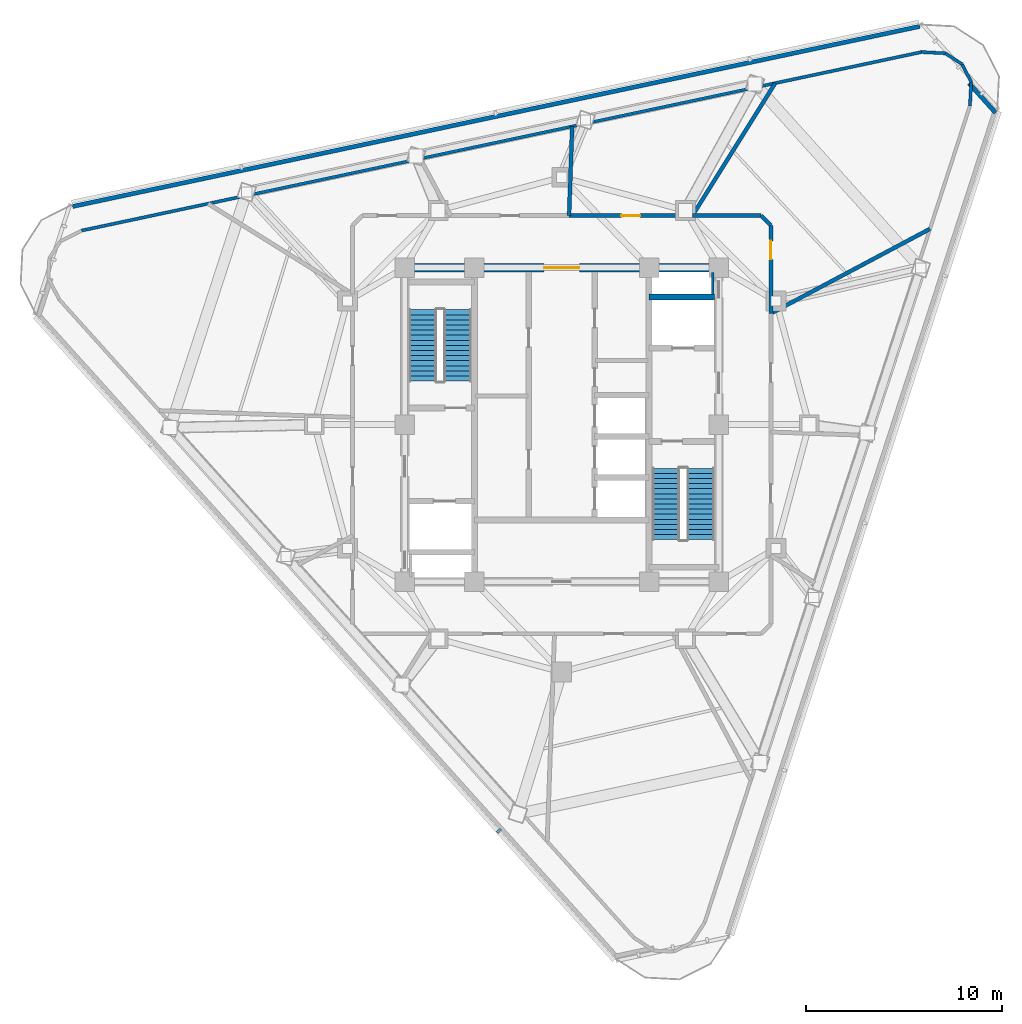
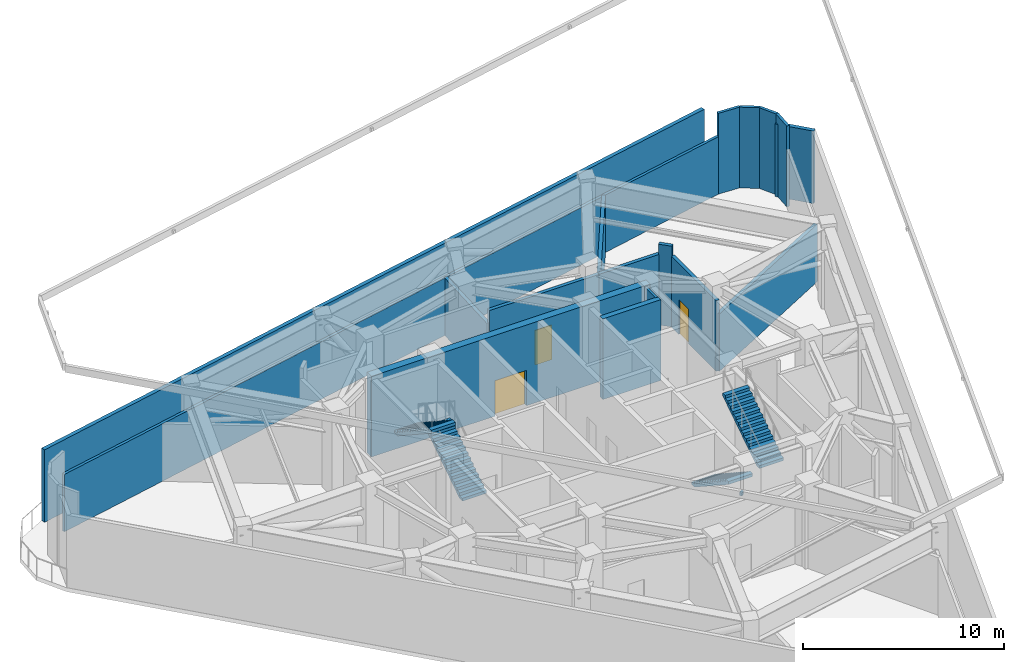
# One storey, part 5 of 10: 17 walls, 4 stair flights, 3 doors, 1 discrete accessory, 3 openings, 2 elements without a shape of their own.
"""IFC4 building model written with IfcOpenShell, lengths in metres."""

from ifc_helpers import new_model, si_unit, direction, frame, frame_2d, origin, origin_2d, place, context, subcontext, project, spatial, polyline, rectangle, outline, extrude, material, layer, layer_set, type_object, element, fill, aggregate, save


model = new_model("IFC4")

# Units and contexts
model_context = context("Model", 3, precision=1e-05, world=origin(), true_north=direction((0.0, 1.0)))
body_context = subcontext(model_context, "Body", "Model", "MODEL_VIEW")
ifc_project = project(units=[si_unit("LENGTHUNIT", "METRE"), si_unit("AREAUNIT", "SQUARE_METRE"), si_unit("VOLUMEUNIT", "CUBIC_METRE"), si_unit("PLANEANGLEUNIT", "RADIAN"), si_unit("MASSUNIT", "GRAM", prefix="KILO")], contexts=[model_context])

# Site, building, storey
site_placement = place(None, origin())
site = spatial("IfcSite", under=ifc_project, at=site_placement, CompositionType="ELEMENT")
building_placement = place(site_placement, origin())
building = spatial("IfcBuilding", under=site, at=building_placement, Name="Terralouvre Media Tower", CompositionType="ELEMENT")
storey_placement = place(building_placement, frame((0.0, 0.0, 278.10009765625)))
storey = spatial("IfcBuildingStorey", under=building, at=storey_placement, Name="L72", CompositionType="ELEMENT", Elevation=278.10009765625)

# Wall
ifc_material_1 = material(Name="Concrete C50/60", Category="concrete")
ifc_layer_1 = layer(ifc_material_1, 0.300048828125, Name="Core Internal Shaft Wall CW-300")
ifc_layer_set_1 = layer_set([ifc_layer_1], Name="Concrete C50/60")
wall_type_1 = type_object("IfcWallType", Name="Core Internal Shaft Wall CW-300", PredefinedType="SHEAR", material=ifc_layer_set_1)
wall_1_placement = place(storey_placement, frame((4.449951171875, 6.5, 0.0), z_axis=(0.0, 0.0, 1.0), x_axis=(1.0, 0.0, 0.0)))
element("IfcWall", 1, at=wall_1_placement, inside=storey, type_object=wall_type_1, Name="L72 Core Shaft Wall FF2N", PredefinedType="SHEAR", context=body_context, shape_type="SweptSolid", body=[
    extrude(rectangle(XDim=3.340087890625, YDim=0.300048828125, at=frame_2d((1.669921875, 0.0))), origin(), (0.0, 0.0, 1.0), 4.89990234375),
])

# Wall, opening, door
ifc_material_2 = material(Name="Concrete C60/75", Category="concrete")
ifc_layer_2 = layer(ifc_material_2, 0.419921875, Name="Core Reinforced Concrete Shear Wall CW-420")
ifc_layer_set_2 = layer_set([ifc_layer_2], Name="Concrete C60/75")
wall_type_2 = type_object("IfcWallType", Name="Core Reinforced Concrete Shear Wall CW-420", PredefinedType="SHEAR", material=ifc_layer_set_2)
wall_2_placement = place(storey_placement, frame((-8.0, 8.0, 0.0), z_axis=(0.0, 0.0, 1.0), x_axis=(1.0, 0.0, 0.0)))
wall_2 = element("IfcWall", 2, at=wall_2_placement, inside=storey, type_object=wall_type_2, Name="L72 N Core Shear Wall", PredefinedType="SHEAR", context=body_context, shape_type="SweptSolid", body=[
    extrude(rectangle(XDim=16.0, YDim=0.419921875, at=frame_2d((8.0, 0.0))), origin(), (0.0, 0.0, 1.0), 4.89990234375),
])
opening_1_placement = place(wall_2_placement, frame((7.10009765625, 0.0, 0.0)))
opening_1 = element("IfcOpeningElement", 3, at=opening_1_placement, cuts=wall_2, Name="Opening FD-03", PredefinedType="OPENING", context=body_context, shape_type="SweptSolid", body=[
    extrude(rectangle(XDim=1.800048828125, YDim=2.14990234375, at=frame_2d((0.89990234375, 1.074951171875))), frame((0.0, 0.219970703125, 0.0), z_axis=(0.0, -1.0, 0.0), x_axis=(1.0, 0.0, 0.0)), (0.0, 0.0, 1.0), 0.43994140625),
])
ifc_material_3 = material(Name="Galvanised steel fire-resisting leaf", Category="steel")
door_type_1 = type_object("IfcDoorType", Name="Corridor Smoke-Control Double Door FD-03", OperationType="DOUBLE_DOOR_SINGLE_SWING", PredefinedType="DOOR", material=ifc_material_3)
door_1_placement = place(opening_1_placement, origin())
door_1 = element("IfcDoor", 4, at=door_1_placement, inside=storey, type_object=door_type_1, Name="L72 Central Lift Lobby Portal Door", OperationType="DOUBLE_DOOR_SINGLE_SWING", OverallHeight=2.14990234375, OverallWidth=1.800048828125, PredefinedType="DOOR", context=body_context, shape_type="SweptSolid", body=[
    extrude(rectangle(XDim=1.800048828125, YDim=2.14990234375, at=frame_2d((0.89990234375, 1.074951171875))), frame((0.0, 0.02490234375, 0.0), z_axis=(0.0, -1.0, 0.0), x_axis=(1.0, 0.0, 0.0)), (0.0, 0.0, 1.0), 0.050048828125),
])
fill(opening_1, door_1)

# Walls
ifc_material_4 = material(Name="Fire-rated gypsum board drywall partition")
ifc_layer_3 = layer(ifc_material_4, 0.199951171875, Name="Fire-Rated Shaft and Lobby Partition FW-200")
ifc_layer_set_3 = layer_set([ifc_layer_3], Name="Fire-rated gypsum board drywall partition")
wall_type_3 = type_object("IfcWallType", Name="Fire-Rated Shaft and Lobby Partition FW-200", PredefinedType="SOLIDWALL", material=ifc_layer_set_3)
wall_3_placement = place(storey_placement, frame((-24.463134765625, 9.88623046875, 0.0), z_axis=(0.0, 0.0, 1.0), x_axis=(0.978148254478, 0.20790861517, 0.0)))
element("IfcWall", 5, at=wall_3_placement, inside=storey, type_object=wall_type_3, Name="L72 Belt-Truss Acoustic Plenum Liner Wall 06", PredefinedType="SOLIDWALL", context=body_context, shape_type="SweptSolid", body=[
    extrude(rectangle(XDim=43.74609375, YDim=0.159912109375, at=frame_2d((21.873046875, 0.0))), origin(), (0.0, 0.0, 1.0), 3.48486328125),
])
wall_4_placement = place(storey_placement, frame((18.3271484375, 18.9814453125, 0.0), z_axis=(0.0, 0.0, 1.0), x_axis=(0.998630033293, -0.052326442696, 0.0)))
element("IfcWall", 6, at=wall_4_placement, inside=storey, type_object=wall_type_3, Name="L72 Belt-Truss Acoustic Plenum Liner Wall 07", PredefinedType="SOLIDWALL", context=body_context, shape_type="SweptSolid", body=[
    extrude(rectangle(XDim=1.213134765625, YDim=0.159912109375, at=frame_2d((0.6064453125, 0.0))), origin(), (0.0, 0.0, 1.0), 4.89990234375),
])
wall_5_placement = place(storey_placement, frame((19.53857421875, 18.91796875, 0.0), z_axis=(0.0, 0.0, 1.0), x_axis=(0.838766232375, -0.544491696381, 0.0)))
element("IfcWall", 7, at=wall_5_placement, inside=storey, type_object=wall_type_3, Name="L72 Belt-Truss Acoustic Plenum Liner Wall 08", PredefinedType="SOLIDWALL", context=body_context, shape_type="SweptSolid", body=[
    extrude(rectangle(XDim=1.01953125, YDim=0.159912109375, at=frame_2d((0.509765625, 0.0))), origin(), (0.0, 0.0, 1.0), 4.89990234375),
])
wall_6_placement = place(storey_placement, frame((20.393798828125, 18.36279296875, 0.0), z_axis=(0.0, 0.0, 1.0), x_axis=(0.453904263618, -0.891050458431, 0.0)))
element("IfcWall", 8, at=wall_6_placement, inside=storey, type_object=wall_type_3, Name="L72 Belt-Truss Acoustic Plenum Liner Wall 09", PredefinedType="SOLIDWALL", context=body_context, shape_type="SweptSolid", body=[
    extrude(rectangle(XDim=1.019775390625, YDim=0.159912109375, at=frame_2d((0.509765625, 0.0))), origin(), (0.0, 0.0, 1.0), 4.89990234375),
])
wall_7_placement = place(storey_placement, frame((20.856689453125, 17.4541015625, 0.0), z_axis=(0.0, 0.0, 1.0), x_axis=(-0.052315928246, -0.998630584176, 0.0)))
element("IfcWall", 9, at=wall_7_placement, inside=storey, type_object=wall_type_3, Name="L72 Belt-Truss Acoustic Plenum Liner Wall 10", PredefinedType="SOLIDWALL", context=body_context, shape_type="SweptSolid", body=[
    extrude(rectangle(XDim=1.21337890625, YDim=0.159912109375, at=frame_2d((0.606689453125, 0.0))), origin(), (0.0, 0.0, 1.0), 4.89990234375),
])

# Wall, opening, door
wall_8_placement = place(storey_placement, frame((10.64990234375, 5.6630859375, 0.0), z_axis=(0.0, 0.0, 1.0), x_axis=(0.0, 1.0, 0.0)))
wall_8 = element("IfcWall", 10, at=wall_8_placement, inside=storey, type_object=wall_type_3, Name="L72 Interior Partition 012", PredefinedType="SOLIDWALL", context=body_context, shape_type="SweptSolid", body=[
    extrude(rectangle(XDim=4.48681640625, YDim=0.199951171875, at=frame_2d((2.243408203125, 0.0))), origin(), (0.0, 0.0, 1.0), 4.284912109375),
])
opening_2_placement = place(wall_8_placement, frame((2.755615234375, 0.0, 0.0)))
opening_2 = element("IfcOpeningElement", 11, at=opening_2_placement, cuts=wall_8, Name="Opening FD-02-95X210", PredefinedType="OPENING", context=body_context, shape_type="SweptSolid", body=[
    extrude(rectangle(XDim=0.949951171875, YDim=2.10009765625, at=frame_2d((0.47509765625, 1.050048828125))), frame((0.0, 0.10986328125, 0.0), z_axis=(0.0, -1.0, 0.0), x_axis=(1.0, 0.0, 0.0)), (0.0, 0.0, 1.0), 0.219970703125),
])
ifc_material_5 = material(Name="Galvanised steel fire-resisting leaf", Category="steel")
door_type_2 = type_object("IfcDoorType", Name="Plant and Riser Fire Door FD-02 (950x2100)", OperationType="NOTDEFINED", PredefinedType="DOOR", material=ifc_material_5)
door_2_placement = place(opening_2_placement, origin())
door_2 = element("IfcDoor", 12, at=door_2_placement, inside=storey, type_object=door_type_2, Name="L72 Sprinkler Reserve Tank and Pump Plant Room Door", OperationType="SINGLE_SWING_LEFT", OverallHeight=2.10009765625, OverallWidth=0.949951171875, PredefinedType="DOOR", context=body_context, shape_type="SweptSolid", body=[
    extrude(rectangle(XDim=0.949951171875, YDim=2.10009765625, at=frame_2d((0.47509765625, 1.050048828125))), frame((0.0, 0.02490234375, 0.0), z_axis=(0.0, -1.0, 0.0), x_axis=(1.0, 0.0, 0.0)), (0.0, 0.0, 1.0), 0.050048828125),
])
fill(opening_2, door_2)

# Walls
wall_9_placement = place(storey_placement, frame((10.64990234375, 10.14990234375, 0.0), z_axis=(0.0, 0.0, 1.0), x_axis=(-0.707106781187, 0.707106781187, 0.0)))
element("IfcWall", 13, at=wall_9_placement, inside=storey, type_object=wall_type_3, Name="L72 Interior Partition 013", PredefinedType="SOLIDWALL", context=body_context, shape_type="SweptSolid", body=[
    extrude(rectangle(XDim=0.70703125, YDim=0.199951171875, at=frame_2d((0.353515625, 0.0))), origin(), (0.0, 0.0, 1.0), 4.89990234375),
])
wall_10_placement = place(storey_placement, frame((10.14990234375, 10.64990234375, 0.0), z_axis=(0.0, 0.0, 1.0), x_axis=(-1.0, 0.0, 0.0)))
element("IfcWall", 14, at=wall_10_placement, inside=storey, type_object=wall_type_3, Name="L72 Interior Partition 014", PredefinedType="SOLIDWALL", context=body_context, shape_type="SweptSolid", body=[
    extrude(rectangle(XDim=3.494873046875, YDim=0.199951171875, at=frame_2d((1.74755859375, 0.0))), origin(), (0.0, 0.0, 1.0), 4.284912109375),
])

# Wall, opening, door
wall_11_placement = place(storey_placement, frame((6.655029296875, 10.64990234375, 0.0), z_axis=(0.0, 0.0, 1.0), x_axis=(-1.0, 0.0, 0.0)))
wall_11 = element("IfcWall", 15, at=wall_11_placement, inside=storey, type_object=wall_type_3, Name="L72 Interior Partition 015", PredefinedType="SOLIDWALL", context=body_context, shape_type="SweptSolid", body=[
    extrude(rectangle(XDim=6.282958984375, YDim=0.199951171875, at=frame_2d((3.1416015625, 0.0))), origin(), (0.0, 0.0, 1.0), 4.284912109375),
])
opening_3_placement = place(wall_11_placement, frame((2.66650390625, 0.0, 0.0)))
opening_3 = element("IfcOpeningElement", 16, at=opening_3_placement, cuts=wall_11, Name="Opening FD-02-95X210", PredefinedType="OPENING", context=body_context, shape_type="SweptSolid", body=[
    extrude(rectangle(XDim=0.949951171875, YDim=2.10009765625, at=frame_2d((0.47509765625, 1.050048828125))), frame((0.0, 0.10986328125, 0.0), z_axis=(0.0, -1.0, 0.0), x_axis=(1.0, 0.0, 0.0)), (0.0, 0.0, 1.0), 0.219970703125),
])
door_3_placement = place(opening_3_placement, origin())
door_3 = element("IfcDoor", 17, at=door_3_placement, inside=storey, type_object=door_type_2, Name="L72 BMS and Telecom Mechanical Control Plant Room Door", OperationType="SINGLE_SWING_RIGHT", OverallHeight=2.10009765625, OverallWidth=0.949951171875, PredefinedType="DOOR", context=body_context, shape_type="SweptSolid", body=[
    extrude(rectangle(XDim=0.949951171875, YDim=2.10009765625, at=frame_2d((0.47509765625, 1.050048828125))), frame((0.0, 0.02490234375, 0.0), z_axis=(0.0, -1.0, 0.0), x_axis=(1.0, 0.0, 0.0)), (0.0, 0.0, 1.0), 0.050048828125),
])
fill(opening_3, door_3)

# Walls
wall_12_placement = place(storey_placement, frame((18.756103515625, 9.97314453125, 0.0), z_axis=(0.0, 0.0, 1.0), x_axis=(-0.882951431728, -0.469464342852, 0.0)))
element("IfcWall", 18, at=wall_12_placement, inside=storey, type_object=wall_type_3, Name="L72 Interior Partition 028", PredefinedType="SOLIDWALL", context=body_context, shape_type="SweptSolid", body=[
    extrude(rectangle(XDim=9.180908203125, YDim=0.199951171875, at=frame_2d((4.59033203125, 0.0))), origin(), (0.0, 0.0, 1.0), 3.48486328125),
])
wall_13_placement = place(storey_placement, frame((10.87109375, 17.39697265625, 0.0), z_axis=(0.0, 0.0, 1.0), x_axis=(-0.529921704872, -0.848046571071, 0.0)))
element("IfcWall", 19, at=wall_13_placement, inside=storey, type_object=wall_type_3, Name="L72 Interior Partition 029", PredefinedType="SOLIDWALL", context=body_context, shape_type="SweptSolid", body=[
    extrude(rectangle(XDim=7.9560546875, YDim=0.199951171875, at=frame_2d((3.97802734375, 0.0))), origin(), (0.0, 0.0, 1.0), 3.48486328125),
])
wall_14_placement = place(storey_placement, frame((0.531005859375, 15.198974609375, 0.0), z_axis=(0.0, 0.0, 1.0), x_axis=(-0.034916708904, -0.999390225807, 0.0)))
element("IfcWall", 20, at=wall_14_placement, inside=storey, type_object=wall_type_3, Name="L72 Interior Partition 030", PredefinedType="SOLIDWALL", context=body_context, shape_type="SweptSolid", body=[
    extrude(rectangle(XDim=4.5517578125, YDim=0.199951171875, at=frame_2d((2.27587890625, 0.0))), origin(), (0.0, 0.0, 1.0), 3.48486328125),
])
ifc_material_6 = material(Name="Fire-rated gypsum board drywall partition")
ifc_layer_4 = layer(ifc_material_6, 0.1201171875, Name="Low Technical Plinth Furring Wall PT-PL120")
ifc_layer_set_4 = layer_set([ifc_layer_4], Name="Fire-rated gypsum board drywall partition")
wall_type_4 = type_object("IfcWallType", Name="Low Technical Plinth Furring Wall PT-PL120", PredefinedType="PLUMBINGWALL", material=ifc_layer_set_4)
wall_15_placement = place(storey_placement, frame((7.699951171875, 6.6201171875, 0.0), z_axis=(0.0, 0.0, 1.0), x_axis=(0.0, 1.0, 0.0)))
element("IfcWall", 21, at=wall_15_placement, inside=storey, type_object=wall_type_4, Name="L72 Wet Riser Plumbing Furring Wall 2", PredefinedType="PLUMBINGWALL", context=body_context, shape_type="SweptSolid", body=[
    extrude(rectangle(XDim=1.1298828125, YDim=0.1201171875, at=frame_2d((0.56494140625, 0.0))), origin(), (0.0, 0.0, 1.0), 4.89990234375),
])
ifc_material_7 = material(Name="Kiln-fired architectural terracotta rainscreen cladding", Category="masonry")
ifc_layer_5 = layer(ifc_material_7, 0.260009765625, Name="Recessed Sky-Garden Acoustic Wall EW-SG260")
ifc_layer_set_5 = layer_set([ifc_layer_5], Name="Kiln-fired architectural terracotta rainscreen cladding")
wall_type_5 = type_object("IfcWallType", Name="Recessed Sky-Garden Acoustic Wall EW-SG260", PredefinedType="SOLIDWALL", material=ifc_layer_set_5)
wall_16_placement = place(storey_placement, frame((18.23974609375, 20.2919921875, 0.0), z_axis=(0.0, 0.0, 1.0), x_axis=(-0.978147584683, -0.207911766332, 0.0)))
element("IfcWall", 22, at=wall_16_placement, inside=storey, type_object=wall_type_5, Name="L72 Facade Curtain Wall F1 Acoustic Plant Plinth Wall", PredefinedType="SOLIDWALL", context=body_context, shape_type="SweptSolid", body=[
    extrude(rectangle(XDim=44.1201171875, YDim=0.219970703125, at=frame_2d((22.06005859375, 0.0))), origin(), (0.0, 0.0, 1.0), 4.39990234375),
])
wall_17_placement = place(storey_placement, frame((22.097412109375, 15.887939453125, 0.0), z_axis=(0.0, 0.0, 1.0), x_axis=(-0.669117696953, 0.743156448955, 0.0)))
element("IfcWall", 23, at=wall_17_placement, inside=storey, type_object=wall_type_5, Name="L72 Rounded Wind-Corner Curtain Wall C1 Acoustic Plant Plinth Wall", PredefinedType="SOLIDWALL", context=body_context, shape_type="SweptSolid", body=[
    extrude(rectangle(XDim=2.02783203125, YDim=0.219970703125, at=frame_2d((1.013916015625, 0.0))), origin(), (0.0, 0.0, 1.0), 4.39990234375),
])

# Stair, stair flights
ifc_material_8 = material(Name="Concrete C45/55", Category="concrete")
stair_type_1 = type_object("IfcStairType", Name="Dogleg Stair Assembly ST-01", PredefinedType="HALF_TURN_STAIR", material=ifc_material_8)
stair_1_placement = place(storey_placement, origin())
stair_1 = element("IfcStair", 24, at=stair_1_placement, inside=storey, type_object=stair_type_1, Name="L72 Core Pressurised Exit Stair ST-01", PredefinedType="HALF_TURN_STAIR")
ifc_material_9 = material(Name="Concrete C45/55", Category="concrete")
stair_flight_type = type_object("IfcStairFlightType", Name="Reinforced Concrete Stair Flight SF-RC1", PredefinedType="STRAIGHT", material=ifc_material_9)
stair_flight_1_placement = place(storey_placement, frame((-5.300048828125, 2.219970703125, 0.0), z_axis=(0.0, 0.0, 1.0), x_axis=(0.0, 1.0, 0.0)))
stair_flight_1 = element("IfcStairFlight", 25, at=stair_flight_1_placement, type_object=stair_flight_type, Name="ST-01 flight 1", NumberOfRisers=15, NumberOfTreads=14, PredefinedType="STRAIGHT", RiserHeight=0.17, TreadLength=0.26, context=body_context, shape_type="SweptSolid", body=[
    extrude(outline(polyline([(0.0, 0.0), (0.0, 0.169921875), (0.260009765625, 0.169921875), (0.260009765625, 0.340087890625), (0.52001953125, 0.340087890625), (0.52001953125, 0.510009765625), (0.780029296875, 0.510009765625), (0.780029296875, 0.679931640625), (1.0400390625, 0.679931640625), (1.0400390625, 0.85009765625), (1.300048828125, 0.85009765625), (1.300048828125, 1.02001953125), (1.56005859375, 1.02001953125), (1.56005859375, 1.18994140625), (1.820068359375, 1.18994140625), (1.820068359375, 1.360107421875), (2.080078125, 1.360107421875), (2.080078125, 1.530029296875), (2.340087890625, 1.530029296875), (2.340087890625, 1.699951171875), (2.60009765625, 1.699951171875), (2.60009765625, 1.8701171875), (2.860107421875, 1.8701171875), (2.860107421875, 2.0400390625), (3.1201171875, 2.0400390625), (3.1201171875, 2.2099609375), (3.3798828125, 2.2099609375), (3.3798828125, 2.3798828125), (3.639892578125, 2.3798828125), (3.639892578125, 2.550048828125), (3.639892578125, 2.200927734375), (0.27392578125, 0.0), (0.0, 0.0)])), frame((0.0, 0.699951171875, 0.0), z_axis=(0.0, -1.0, 0.0), x_axis=(1.0, 0.0, 0.0)), (0.0, 0.0, 1.0), 1.39990234375),
])
stair_flight_2_placement = place(storey_placement, frame((-7.080078125, 5.860107421875, 2.5498046875), z_axis=(0.0, 0.0, 1.0), x_axis=(0.0, -1.0, 0.0)))
stair_flight_2 = element("IfcStairFlight", 26, at=stair_flight_2_placement, type_object=stair_flight_type, Name="ST-01 flight 2", NumberOfRisers=15, NumberOfTreads=14, PredefinedType="STRAIGHT", RiserHeight=0.17, TreadLength=0.26, context=body_context, shape_type="SweptSolid", body=[
    extrude(outline(polyline([(0.0, 0.0), (0.0, 0.169921875), (0.260009765625, 0.169921875), (0.260009765625, 0.340087890625), (0.52001953125, 0.340087890625), (0.52001953125, 0.510009765625), (0.780029296875, 0.510009765625), (0.780029296875, 0.679931640625), (1.0400390625, 0.679931640625), (1.0400390625, 0.85009765625), (1.300048828125, 0.85009765625), (1.300048828125, 1.02001953125), (1.56005859375, 1.02001953125), (1.56005859375, 1.18994140625), (1.820068359375, 1.18994140625), (1.820068359375, 1.360107421875), (2.080078125, 1.360107421875), (2.080078125, 1.530029296875), (2.340087890625, 1.530029296875), (2.340087890625, 1.699951171875), (2.60009765625, 1.699951171875), (2.60009765625, 1.8701171875), (2.860107421875, 1.8701171875), (2.860107421875, 2.0400390625), (3.1201171875, 2.0400390625), (3.1201171875, 2.2099609375), (3.3798828125, 2.2099609375), (3.3798828125, 2.3798828125), (3.639892578125, 2.3798828125), (3.639892578125, 2.550048828125), (3.639892578125, 2.200927734375), (0.27392578125, 0.0), (0.0, 0.0)])), frame((0.0, 0.699951171875, 0.0), z_axis=(0.0, -1.0, 0.0), x_axis=(1.0, 0.0, 0.0)), (0.0, 0.0, 1.0), 1.39990234375),
])
aggregate(stair_1, [stair_flight_1, stair_flight_2])

ifc_material_10 = material(Name="Concrete C45/55", Category="concrete")
stair_type_2 = type_object("IfcStairType", Name="Dogleg Stair Assembly ST-02", PredefinedType="HALF_TURN_STAIR", material=ifc_material_10)
stair_2_placement = place(storey_placement, origin())
stair_2 = element("IfcStair", 27, at=stair_2_placement, inside=storey, type_object=stair_type_2, Name="L72 Core Pressurised Exit Stair ST-02", PredefinedType="HALF_TURN_STAIR")
stair_flight_3_placement = place(storey_placement, frame((5.300048828125, -2.219970703125, 0.0), z_axis=(0.0, 0.0, 1.0), x_axis=(0.0, -1.0, 0.0)))
stair_flight_3 = element("IfcStairFlight", 28, at=stair_flight_3_placement, type_object=stair_flight_type, Name="ST-02 flight 1", NumberOfRisers=15, NumberOfTreads=14, PredefinedType="STRAIGHT", RiserHeight=0.17, TreadLength=0.26, context=body_context, shape_type="SweptSolid", body=[
    extrude(outline(polyline([(0.0, 0.0), (0.0, 0.169921875), (0.260009765625, 0.169921875), (0.260009765625, 0.340087890625), (0.52001953125, 0.340087890625), (0.52001953125, 0.510009765625), (0.780029296875, 0.510009765625), (0.780029296875, 0.679931640625), (1.0400390625, 0.679931640625), (1.0400390625, 0.85009765625), (1.300048828125, 0.85009765625), (1.300048828125, 1.02001953125), (1.56005859375, 1.02001953125), (1.56005859375, 1.18994140625), (1.820068359375, 1.18994140625), (1.820068359375, 1.360107421875), (2.080078125, 1.360107421875), (2.080078125, 1.530029296875), (2.340087890625, 1.530029296875), (2.340087890625, 1.699951171875), (2.60009765625, 1.699951171875), (2.60009765625, 1.8701171875), (2.860107421875, 1.8701171875), (2.860107421875, 2.0400390625), (3.1201171875, 2.0400390625), (3.1201171875, 2.2099609375), (3.3798828125, 2.2099609375), (3.3798828125, 2.3798828125), (3.639892578125, 2.3798828125), (3.639892578125, 2.550048828125), (3.639892578125, 2.200927734375), (0.27392578125, 0.0), (0.0, 0.0)])), frame((0.0, 0.699951171875, 0.0), z_axis=(0.0, -1.0, 0.0), x_axis=(1.0, 0.0, 0.0)), (0.0, 0.0, 1.0), 1.39990234375),
])
stair_flight_4_placement = place(storey_placement, frame((7.080078125, -5.860107421875, 2.5498046875), z_axis=(0.0, 0.0, 1.0), x_axis=(0.0, 1.0, 0.0)))
stair_flight_4 = element("IfcStairFlight", 29, at=stair_flight_4_placement, type_object=stair_flight_type, Name="ST-02 flight 2", NumberOfRisers=15, NumberOfTreads=14, PredefinedType="STRAIGHT", RiserHeight=0.17, TreadLength=0.26, context=body_context, shape_type="SweptSolid", body=[
    extrude(outline(polyline([(0.0, 0.0), (0.0, 0.169921875), (0.260009765625, 0.169921875), (0.260009765625, 0.340087890625), (0.52001953125, 0.340087890625), (0.52001953125, 0.510009765625), (0.780029296875, 0.510009765625), (0.780029296875, 0.679931640625), (1.0400390625, 0.679931640625), (1.0400390625, 0.85009765625), (1.300048828125, 0.85009765625), (1.300048828125, 1.02001953125), (1.56005859375, 1.02001953125), (1.56005859375, 1.18994140625), (1.820068359375, 1.18994140625), (1.820068359375, 1.360107421875), (2.080078125, 1.360107421875), (2.080078125, 1.530029296875), (2.340087890625, 1.530029296875), (2.340087890625, 1.699951171875), (2.60009765625, 1.699951171875), (2.60009765625, 1.8701171875), (2.860107421875, 1.8701171875), (2.860107421875, 2.0400390625), (3.1201171875, 2.0400390625), (3.1201171875, 2.2099609375), (3.3798828125, 2.2099609375), (3.3798828125, 2.3798828125), (3.639892578125, 2.3798828125), (3.639892578125, 2.550048828125), (3.639892578125, 2.200927734375), (0.27392578125, 0.0), (0.0, 0.0)])), frame((0.0, 0.699951171875, 0.0), z_axis=(0.0, -1.0, 0.0), x_axis=(1.0, 0.0, 0.0)), (0.0, 0.0, 1.0), 1.39990234375),
])
aggregate(stair_2, [stair_flight_3, stair_flight_4])

# Discrete accessory
ifc_material_11 = material(Name="Anodised extruded aluminium 6063-T6", Category="aluminium")
discrete_accessory_type = type_object("IfcDiscreteAccessoryType", Name="Mullion Stand-Off Baguette Fixing Bracket BK-01", PredefinedType="BRACKET", material=ifc_material_11)
discrete_accessory_placement = place(storey_placement, frame((-3.194580078125, -20.68701171875, 13.32177734375), z_axis=(0.0, 0.0, 1.0), x_axis=(0.669130573531, -0.743144855036, 0.0)))
element("IfcDiscreteAccessory", 30, at=discrete_accessory_placement, inside=storey, type_object=discrete_accessory_type, Name="CW-L72-F2 Louvre Bracket 03", PredefinedType="BRACKET", context=body_context, shape_type="SweptSolid", body=[
    extrude(rectangle(XDim=0.139892578125, YDim=0.239990234375, at=origin_2d()), origin(), (0.0, 0.0, 1.0), 0.179931640625),
])

save(model, "model.ifc")
